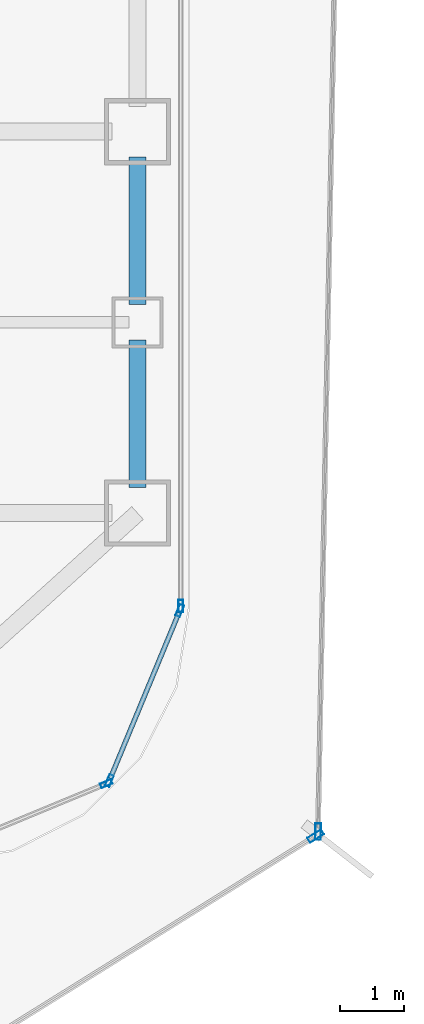
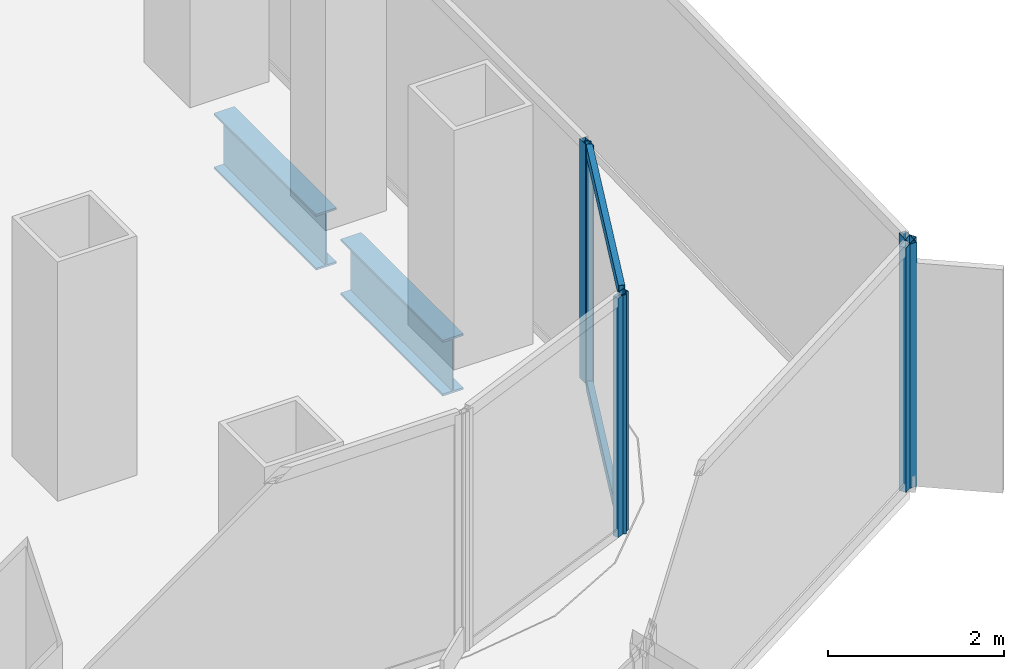
# One storey, part 8 of 21: 8 members, 2 beams, 5 elements without a shape of their own.
"""IFC4 building model written with IfcOpenShell, lengths in metres."""

from ifc_helpers import new_model, si_unit, direction, frame, origin, origin_2d, place, context, subcontext, project, spatial, hollow_rectangle, i_section, extrude, source, transform, mapped, material, layer, layer_set, material_profile, profile_set, type_object, element, aggregate, save


model = new_model("IFC4")

# Units and contexts
model_context = context("Model", 3, precision=1e-05, world=origin(), true_north=direction((0.0, 1.0)))
body_context = subcontext(model_context, "Body", "Model", "MODEL_VIEW")
ifc_project = project(units=[si_unit("LENGTHUNIT", "METRE"), si_unit("AREAUNIT", "SQUARE_METRE"), si_unit("VOLUMEUNIT", "CUBIC_METRE"), si_unit("PLANEANGLEUNIT", "RADIAN"), si_unit("MASSUNIT", "GRAM", prefix="KILO")], contexts=[model_context])

# Site, building, storey
site_placement = place(None, origin())
site = spatial("IfcSite", under=ifc_project, at=site_placement, CompositionType="ELEMENT")
building_placement = place(site_placement, origin())
building = spatial("IfcBuilding", under=site, at=building_placement, Name="Kolveth Station Tower", CompositionType="ELEMENT")
storey_placement = place(building_placement, frame((0.0, 0.0, 62.10009765625)))
storey = spatial("IfcBuildingStorey", under=building, at=storey_placement, Name="L16", CompositionType="ELEMENT", Elevation=62.10009765625)

# Beams
ifc_material_1 = material(Name="Steel S355", Category="steel")
ifc_material_profile_1 = material_profile(ifc_material_1, i_section(OverallWidth=0.26904296875, OverallDepth=0.77490234375, WebThickness=0.01708984375, FlangeThickness=0.0283203125, at=origin_2d()), Name="W760x220")
ifc_profile_set_1 = profile_set([ifc_material_profile_1], Name="Steel S355")
beam_type = type_object("IfcBeamType", Name="Beam_SP1", PredefinedType="SPANDREL", material=ifc_profile_set_1)
shared_shape_1 = source(origin(), body_context, "Body", "SweptSolid", [
    extrude(i_section(OverallWidth=0.26904296875, OverallDepth=0.77490234375, WebThickness=0.01708984375, FlangeThickness=0.0283203125, at=origin_2d()), origin(), (0.0, 0.0, 1.0), 2.320068359375),
])
for number, where, z_axis, x_axis, name in (
    (1, (46.199951171875, 5.89990234375, -0.66748046875), (0.0, 1.0, 0.0), (-1.0, 0.0, 0.0), "L16 Perimeter Spandrel BM-L16-PE-1"),
    (2, (46.199951171875, 8.780029296875, -0.66748046875), (0.0, 1.0, 0.0), (-1.0, 0.0, 0.0), "L16 Perimeter Spandrel BM-L16-PE-2"),
):
    element("IfcBeam", number, at=place(storey_placement, frame(where, z_axis=z_axis, x_axis=x_axis)), inside=storey, type_object=beam_type, Name=name, PredefinedType="SPANDREL", context=body_context, shape_type="MappedRepresentation", body=[
        mapped(shared_shape_1, transform((0.0, 0.0, 0.0), x_axis=(1.0, 0.0, 0.0), y_axis=(0.0, 1.0, 0.0), z_axis=(0.0, 0.0, 1.0), scale=1.0)),
    ])

# Curtain wall, members
ifc_material_2 = material(Name="Aluminium 6063-T6 and low-E dark glass", Category="aluminium")
ifc_layer_1 = layer(ifc_material_2, 0.179931640625)
ifc_layer_set_1 = layer_set([ifc_layer_1], Name="Aluminium 6063-T6 and low-E dark glass")
curtain_wall_type_1 = type_object("IfcCurtainWallType", Name="CurtainWall_CW-Z1", PredefinedType="NOTDEFINED", material=ifc_layer_set_1)
curtain_wall_1_placement = place(storey_placement, origin())
curtain_wall_1 = element("IfcCurtainWall", 3, at=curtain_wall_1_placement, inside=storey, type_object=curtain_wall_type_1, Name="L16 Inner Thermal Curtain Wall 2", PredefinedType="NOTDEFINED")
ifc_material_3 = material(Name="Black anodized aluminium 6063-T6", Category="aluminium")
ifc_material_profile_2 = material_profile(ifc_material_3, hollow_rectangle(XDim=0.074951171875, YDim=0.159912109375, WallThickness=0.0048828125, at=origin_2d()), Name="ALU-75x160x5")
ifc_profile_set_2 = profile_set([ifc_material_profile_2], Name="Black anodized aluminium 6063-T6")
member_type_1 = type_object("IfcMemberType", Name="Transom_TR1", PredefinedType="USERDEFINED", material=ifc_profile_set_2)
shared_shape_2 = source(origin(), body_context, "Body", "SweptSolid", [
    extrude(hollow_rectangle(XDim=0.074951171875, YDim=0.159912109375, WallThickness=0.0048828125, at=origin_2d()), origin(), (0.0, 0.0, 1.0), 2.819580078125),
])
member_1_placement = place(storey_placement, frame((45.772216796875, 1.32568359375, 0.037353515625), z_axis=(0.382708655389, 0.923869084389, 0.0), x_axis=(-0.923869084389, 0.382708655389, 0.0)))
member_1 = element("IfcMember", 4, at=member_1_placement, type_object=member_type_1, Name="CW-Z1 transom 1.1", ObjectType="TRANSOM", PredefinedType="USERDEFINED", context=body_context, shape_type="MappedRepresentation", body=[
    mapped(shared_shape_2, transform((0.0, 0.0, 0.0), x_axis=(1.0, 0.0, 0.0), y_axis=(0.0, 1.0, 0.0), z_axis=(0.0, 0.0, 1.0), scale=1.0)),
])
member_2_placement = place(storey_placement, frame((45.772216796875, 1.32568359375, 3.282470703125), z_axis=(0.382708655389, 0.923869084389, 0.0), x_axis=(-0.923869084389, 0.382708655389, 0.0)))
member_2 = element("IfcMember", 5, at=member_2_placement, type_object=member_type_1, Name="CW-Z1 transom 1.2", ObjectType="TRANSOM", PredefinedType="USERDEFINED", context=body_context, shape_type="MappedRepresentation", body=[
    mapped(shared_shape_2, transform((0.0, 0.0, 0.0), x_axis=(1.0, 0.0, 0.0), y_axis=(0.0, 1.0, 0.0), z_axis=(0.0, 0.0, 1.0), scale=1.0)),
])

# Curtain wall, member
ifc_material_4 = material(Name="Black anodized aluminium 6063-T6 and dark solar glass", Category="aluminium")
ifc_layer_2 = layer(ifc_material_4, 0.159912109375)
ifc_layer_set_2 = layer_set([ifc_layer_2], Name="Black anodized aluminium 6063-T6 and dark solar glass")
curtain_wall_type_2 = type_object("IfcCurtainWallType", Name="OUTER SKIN CW-OS", PredefinedType="NOTDEFINED", material=ifc_layer_set_2)
curtain_wall_2_placement = place(storey_placement, origin())
curtain_wall_2 = element("IfcCurtainWall", 6, at=curtain_wall_2_placement, inside=storey, type_object=curtain_wall_type_2, Name="L16 Outer Ventilated Skin Curtain Wall 1", PredefinedType="NOTDEFINED")
ifc_material_profile_3 = material_profile(ifc_material_3, hollow_rectangle(XDim=0.090087890625, YDim=0.260009765625, WallThickness=0.0048828125, at=origin_2d()), Name="ALU-90x260x5")
ifc_profile_set_3 = profile_set([ifc_material_profile_3], Name="Black anodized aluminium 6063-T6")
member_type_2 = type_object("IfcMemberType", Name="FIN MULLION ML-OS", PredefinedType="MULLION", material=ifc_profile_set_3)
shared_shape_3 = source(origin(), body_context, "Body", "SweptSolid", [
    extrude(hollow_rectangle(XDim=0.090087890625, YDim=0.260009765625, WallThickness=0.0048828125, at=origin_2d()), origin(), (0.0, 0.0, 1.0), 3.389892578125),
])
member_3_placement = place(storey_placement, frame((49.0029296875, 0.417724609375, 0.0), z_axis=(0.0, 0.0, 1.0), x_axis=(-0.528808637677, 0.848741082262, 0.0)))
member_3 = element("IfcMember", 7, at=member_3_placement, type_object=member_type_2, Name="CW-OS mullion 2", PredefinedType="MULLION", context=body_context, shape_type="MappedRepresentation", body=[
    mapped(shared_shape_3, transform((0.0, 0.0, 0.0), x_axis=(1.0, 0.0, 0.0), y_axis=(0.0, 1.0, 0.0), z_axis=(0.0, 0.0, 1.0), scale=1.0)),
])
aggregate(curtain_wall_2, [member_3])

curtain_wall_3_placement = place(storey_placement, origin())
curtain_wall_3 = element("IfcCurtainWall", 8, at=curtain_wall_3_placement, inside=storey, type_object=curtain_wall_type_2, Name="L16 Outer Ventilated Skin Curtain Wall 2", PredefinedType="NOTDEFINED")
member_4_placement = place(storey_placement, frame((49.0419921875, 0.486572265625, 0.0), z_axis=(0.0, 0.0, 1.0), x_axis=(-0.999811078931, 0.01943724381, 0.0)))
member_4 = element("IfcMember", 9, at=member_4_placement, type_object=member_type_2, Name="CW-OS mullion 1", PredefinedType="MULLION", context=body_context, shape_type="MappedRepresentation", body=[
    mapped(shared_shape_3, transform((0.0, 0.0, 0.0), x_axis=(1.0, 0.0, 0.0), y_axis=(0.0, 1.0, 0.0), z_axis=(0.0, 0.0, 1.0), scale=1.0)),
])
aggregate(curtain_wall_3, [member_4])

curtain_wall_4_placement = place(storey_placement, origin())
curtain_wall_4 = element("IfcCurtainWall", 10, at=curtain_wall_4_placement, inside=storey, type_object=curtain_wall_type_1, Name="L16 Inner Thermal Curtain Wall 1", PredefinedType="NOTDEFINED")
ifc_material_profile_4 = material_profile(ifc_material_3, hollow_rectangle(XDim=0.074951171875, YDim=0.18994140625, WallThickness=0.0048828125, at=origin_2d()), Name="ALU-75x190x5")
ifc_profile_set_4 = profile_set([ifc_material_profile_4], Name="Black anodized aluminium 6063-T6")
member_type_3 = type_object("IfcMemberType", Name="Mullion_ML1", PredefinedType="MULLION", material=ifc_profile_set_4)
shared_shape_4 = source(origin(), body_context, "Body", "SweptSolid", [
    extrude(hollow_rectangle(XDim=0.074951171875, YDim=0.18994140625, WallThickness=0.0048828125, at=origin_2d()), origin(), (0.0, 0.0, 1.0), 3.31982421875),
])
member_5_placement = place(storey_placement, frame((45.708984375, 1.241943359375, 0.0), z_axis=(0.0, 0.0, 1.0), x_axis=(-0.382672990201, 0.923883857728, 0.0)))
member_5 = element("IfcMember", 11, at=member_5_placement, type_object=member_type_3, Name="CW-Z1 mullion 2", PredefinedType="MULLION", context=body_context, shape_type="MappedRepresentation", body=[
    mapped(shared_shape_4, transform((0.0, 0.0, 0.0), x_axis=(1.0, 0.0, 0.0), y_axis=(0.0, 1.0, 0.0), z_axis=(0.0, 0.0, 1.0), scale=1.0)),
])
aggregate(curtain_wall_4, [member_5])

# Member
member_6_placement = place(storey_placement, frame((45.758056640625, 1.291015625, 0.0), z_axis=(0.0, 0.0, 1.0), x_axis=(-0.923883857728, 0.382672990201, 0.0)))
member_6 = element("IfcMember", 12, at=member_6_placement, type_object=member_type_3, Name="CW-Z1 mullion 1", PredefinedType="MULLION", context=body_context, shape_type="MappedRepresentation", body=[
    mapped(shared_shape_4, transform((0.0, 0.0, 0.0), x_axis=(1.0, 0.0, 0.0), y_axis=(0.0, 1.0, 0.0), z_axis=(0.0, 0.0, 1.0), scale=1.0)),
])

member_7_placement = place(storey_placement, frame((46.86572265625, 3.96533203125, 0.0), z_axis=(0.0, 0.0, 1.0), x_axis=(-0.923883857728, 0.382672990201, 0.0)))
member_7 = element("IfcMember", 13, at=member_7_placement, type_object=member_type_3, Name="CW-Z1 mullion 2", PredefinedType="MULLION", context=body_context, shape_type="MappedRepresentation", body=[
    mapped(shared_shape_4, transform((0.0, 0.0, 0.0), x_axis=(1.0, 0.0, 0.0), y_axis=(0.0, 1.0, 0.0), z_axis=(0.0, 0.0, 1.0), scale=1.0)),
])

aggregate(curtain_wall_1, [member_6, member_7, member_1, member_2])

# Curtain wall, member
curtain_wall_5_placement = place(storey_placement, origin())
curtain_wall_5 = element("IfcCurtainWall", 14, at=curtain_wall_5_placement, inside=storey, type_object=curtain_wall_type_1, Name="L16 Inner Thermal Curtain Wall 3", PredefinedType="NOTDEFINED")
member_8_placement = place(storey_placement, frame((46.8798828125, 4.03759765625, 0.0), z_axis=(0.0, 0.0, 1.0), x_axis=(-1.0, 0.0, 0.0)))
member_8 = element("IfcMember", 15, at=member_8_placement, type_object=member_type_3, Name="CW-Z1 mullion 1", PredefinedType="MULLION", context=body_context, shape_type="MappedRepresentation", body=[
    mapped(shared_shape_4, transform((0.0, 0.0, 0.0), x_axis=(1.0, 0.0, 0.0), y_axis=(0.0, 1.0, 0.0), z_axis=(0.0, 0.0, 1.0), scale=1.0)),
])
aggregate(curtain_wall_5, [member_8])

save(model, "model.ifc")
